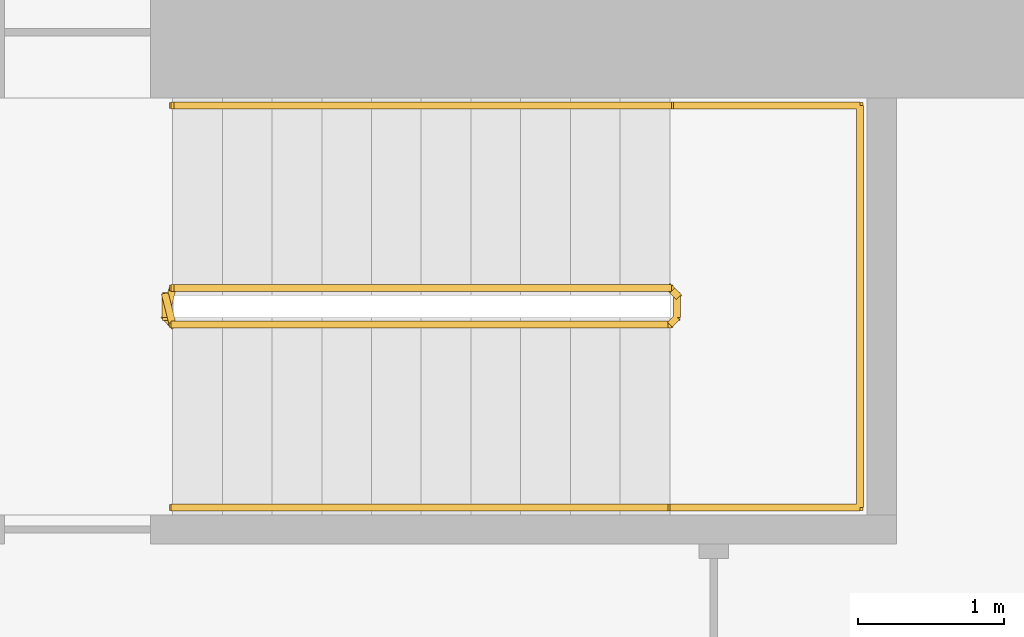
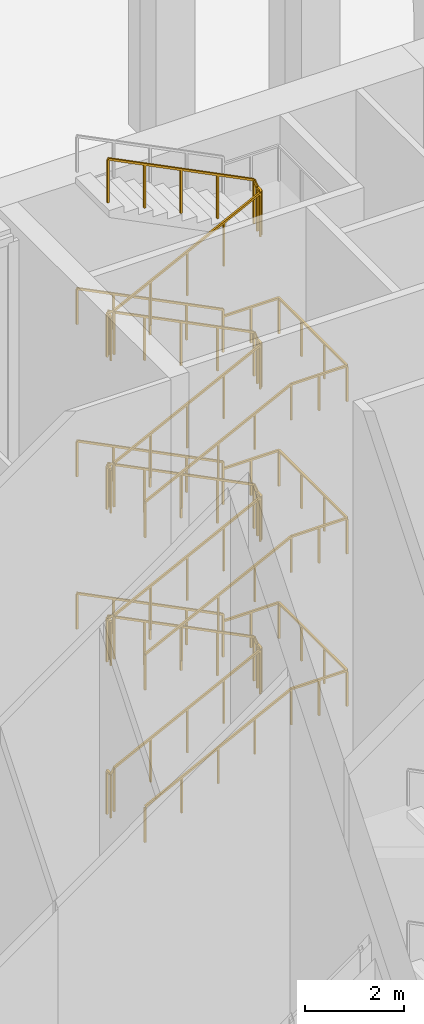
# One storey, part 16 of 18: 4 railings.
"""IFC4 building model written with IfcOpenShell, lengths in metres."""

import ifcopenshell
import ifcopenshell.guid

model = None  # the IFC model being written
_history = None  # IfcOwnerHistory: only IFC2X3 demands one
_inside = {}  # id of a spatial element -> (the spatial element, [elements in it])
_under = {}  # id of a project, library or spatial element -> (it, [spatial elements below it])
_declared = {}  # id of a project -> (the project, [libraries it declares])
_typed = {}  # id of a type object -> (the type object, [elements of that type])
_made_of = {}  # id of a material, layer set ... -> (it, [elements and type objects made of it])


def new_model(schema):
    """Start an empty IFC model of exactly this schema.

    Asked for "IFC4X3", IfcOpenShell would pick the latest addendum, in which some entities
    have other attributes; the version numbers below select the first issue.
    IFC2X3 requires an IfcOwnerHistory on every rooted entity: one is made here for all.
    """
    global model, _history
    if schema == "IFC4X3":
        model = ifcopenshell.file(schema_version=(4, 3, 0, 0))
    else:
        model = ifcopenshell.file(schema=schema)
    _inside.clear()
    _under.clear()
    _declared.clear()
    _typed.clear()
    _made_of.clear()
    _history = None
    if model.schema == "IFC2X3":
        org = make("IfcOrganization", Name="unknown")
        user = make(
            "IfcPersonAndOrganization",
            ThePerson=make("IfcPerson", FamilyName="unknown"),
            TheOrganization=org,
        )
        app = make(
            "IfcApplication",
            ApplicationDeveloper=org,
            Version="unknown",
            ApplicationFullName="unknown",
            ApplicationIdentifier="unknown",
        )
        _history = make(
            "IfcOwnerHistory",
            OwningUser=user,
            OwningApplication=app,
            ChangeAction="ADDED",
            CreationDate=0,
        )
    return model


def make(cls, **values):
    """One entity of the class cls with the attributes given. An attribute that is None is left unset."""
    return model.create_entity(
        cls, **{name: value for name, value in values.items() if value is not None}
    )


def rooted(cls, **values):
    """An entity with a GlobalId (a new one), such as an element, a storey or a relation."""
    return make(cls, GlobalId=ifcopenshell.guid.new(), OwnerHistory=_history, **values)


def si_unit(unit_type, name, prefix=None):
    """IfcSIUnit, for example si_unit("LENGTHUNIT", "METRE", prefix="MILLI")."""
    return make("IfcSIUnit", UnitType=unit_type, Prefix=prefix, Name=name)


def assignment(units):
    """IfcUnitAssignment: the units of a project."""
    return None if units is None else make("IfcUnitAssignment", Units=units)


def point(xyz):
    """IfcCartesianPoint."""
    return None if xyz is None else make("IfcCartesianPoint", Coordinates=xyz)


def direction(xyz):
    """IfcDirection."""
    return None if xyz is None else make("IfcDirection", DirectionRatios=xyz)


def frame(location, z_axis=None, x_axis=None):
    """IfcAxis2Placement3D, a coordinate frame: its origin and axes. An axis left out is left unset."""
    return make(
        "IfcAxis2Placement3D",
        Location=point(location),
        Axis=direction(z_axis),
        RefDirection=direction(x_axis),
    )


def frame_2d(location, x_axis=None):
    """IfcAxis2Placement2D, a coordinate frame in the plane: its origin and x axis."""
    return make(
        "IfcAxis2Placement2D", Location=point(location), RefDirection=direction(x_axis)
    )


def origin():
    """The frame at (0, 0, 0) with its axes left unset."""
    return frame((0.0, 0.0, 0.0))


def origin_2d():
    """The frame at (0, 0) in the plane with its x axis left unset."""
    return frame_2d((0.0, 0.0))


def place(relative_to, where):
    """IfcLocalPlacement: puts the frame where relative to a parent placement (None: the world)."""
    return make(
        "IfcLocalPlacement", PlacementRelTo=relative_to, RelativePlacement=where
    )


def context(
    kind, dimensions, precision=None, world=None, true_north=None, identifier=None
):
    """IfcGeometricRepresentationContext, for example the 3D "Model" context."""
    return make(
        "IfcGeometricRepresentationContext",
        ContextIdentifier=identifier,
        ContextType=kind,
        CoordinateSpaceDimension=dimensions,
        Precision=precision,
        WorldCoordinateSystem=world,
        TrueNorth=true_north,
    )


def subcontext(parent, identifier, kind, view, scale=None):
    """IfcGeometricRepresentationSubContext, for example "Body" below "Model"."""
    return make(
        "IfcGeometricRepresentationSubContext",
        ContextIdentifier=identifier,
        ContextType=kind,
        ParentContext=parent,
        TargetScale=scale,
        TargetView=view,
    )


def project(units=None, contexts=None):
    """IfcProject with its units and contexts."""
    return rooted(
        "IfcProject",
        Name="project",
        RepresentationContexts=contexts,
        UnitsInContext=assignment(units),
    )


def spatial(cls, under=None, at=None, **own):
    """A site, building, storey or space (cls), placed at a placement, below another one or the project."""
    s = rooted(cls, ObjectPlacement=at, **own)
    if under is not None:
        _under.setdefault(under.id(), (under, []))[1].append(s)
    return s


def profile(cls, at=None, kind="AREA", **sizes):
    """A parametric profile (cls). Its sizes go by their IFC names, for example OverallWidth=200.0."""
    return make(cls, ProfileType=kind, Position=at, **sizes)


def rectangle(**sizes):
    """IfcRectangleProfileDef."""
    return profile("IfcRectangleProfileDef", **sizes)


def extrude(swept, where, along, depth):
    """IfcExtrudedAreaSolid: the profile swept, set in the frame where, extruded along a direction by depth."""
    return make(
        "IfcExtrudedAreaSolid",
        SweptArea=swept,
        Position=where,
        ExtrudedDirection=direction(along),
        Depth=depth,
    )


def shape(context_of_items, identifier, shape_type, items):
    """IfcShapeRepresentation: the items that make up one representation, for example the "Body"."""
    return make(
        "IfcShapeRepresentation",
        ContextOfItems=context_of_items,
        RepresentationIdentifier=identifier,
        RepresentationType=shape_type,
        Items=items,
    )


def material(Name=None, Category=None):
    """IfcMaterial."""
    return make("IfcMaterial", Name=Name, Category=Category)


def made_of(thing, what):
    """Note that an element or type object is made of a material, layer set ...; save() writes the relation."""
    if what is not None:
        _made_of.setdefault(what.id(), (what, []))[1].append(thing)
    return thing


def type_object(cls, material=None, **own):
    """A type object (cls), such as IfcWallType, which elements share."""
    return made_of(rooted(cls, **own), material)


def element(
    cls,
    number,
    at=None,
    inside=None,
    cuts=None,
    type_object=None,
    material=None,
    context=None,
    identifier="Body",
    shape_type=None,
    held_by="IfcProductDefinitionShape",
    body=None,
    shapes=None,
    **own,
):
    """One element of the class cls, such as IfcWall. Its Tag is "e" and its number.

    at: its placement. inside: the storey or other place that contains it. cuts: it is an
    opening in that element (IfcRelVoidsElement). A single representation is given by context,
    identifier, shape_type and body (its items); several are given by shapes. held_by: the class
    of the entity that holds the representations. save() writes the other relations.
    """
    e = rooted(cls, Tag="e%d" % number, ObjectPlacement=at, **own)
    if body is not None:
        shapes = [shape(context, identifier, shape_type, body)]
    if shapes is not None:
        e.Representation = make(held_by, Representations=shapes)
    if inside is not None:
        _inside.setdefault(inside.id(), (inside, []))[1].append(e)
    if cuts is not None:
        rooted(
            "IfcRelVoidsElement", RelatingBuildingElement=cuts, RelatedOpeningElement=e
        )
    if type_object is not None:
        _typed.setdefault(type_object.id(), (type_object, []))[1].append(e)
    return made_of(e, material)


def aggregate(whole, parts):
    """IfcRelAggregates: a whole, such as a stair, and the parts it consists of."""
    return rooted("IfcRelAggregates", RelatingObject=whole, RelatedObjects=parts)


def save(model, path):
    """Write the relations noted so far, then the file.

    IfcRelAggregates (storeys below a building ...), IfcRelContainedInSpatialStructure (elements
    in a storey), IfcRelDefinesByType, IfcRelAssociatesMaterial and IfcRelDeclares: one each for
    every whole, place, type object, material and project.
    """
    for whole, parts in _under.values():
        aggregate(whole, parts)
    for where, things in _inside.values():
        rooted(
            "IfcRelContainedInSpatialStructure",
            RelatedElements=things,
            RelatingStructure=where,
        )
    for kind, things in _typed.values():
        rooted("IfcRelDefinesByType", RelatedObjects=things, RelatingType=kind)
    for what, things in _made_of.values():
        rooted("IfcRelAssociatesMaterial", RelatedObjects=things, RelatingMaterial=what)
    for by, libraries in _declared.values():
        rooted("IfcRelDeclares", RelatingContext=by, RelatedDefinitions=libraries)
    model.write(path)


model = new_model("IFC4")

# Units and contexts
model_context = context("Model", 3, precision=1e-05, world=origin(), true_north=direction((0.0, 1.0)))
body_context = subcontext(model_context, "Body", "Model", "MODEL_VIEW")
ifc_project = project(units=[si_unit("LENGTHUNIT", "METRE"), si_unit("AREAUNIT", "SQUARE_METRE"), si_unit("VOLUMEUNIT", "CUBIC_METRE"), si_unit("PLANEANGLEUNIT", "RADIAN"), si_unit("MASSUNIT", "GRAM", prefix="KILO")], contexts=[model_context])

# Site, building, storey
site_placement = place(None, origin())
site = spatial("IfcSite", under=ifc_project, at=site_placement, CompositionType="ELEMENT")
building_placement = place(site_placement, origin())
building = spatial("IfcBuilding", under=site, at=building_placement, Name="Perihelion Cross Residences", CompositionType="ELEMENT")
storey_placement = place(building_placement, origin())
storey = spatial("IfcBuildingStorey", under=building, at=storey_placement, Name="L00", CompositionType="ELEMENT", Elevation=0.0)

# Railings
ifc_material_1 = material(Name="Stainless steel", Category="steel")
railing_type_1 = type_object("IfcRailingType", Name="Stair guard 1100", PredefinedType="GUARDRAIL", material=ifc_material_1)
railing_1_placement = place(storey_placement, frame((23.35009765625, 6.75, 0.0)))
element("IfcRailing", 1, at=railing_1_placement, inside=storey, type_object=railing_type_1, Name="L00 ST-E1 stair guard 1", PredefinedType="GUARDRAIL", context=body_context, shape_type="SweptSolid", body=[
    extrude(rectangle(XDim=0.048095703125, YDim=0.048095703125, at=origin_2d()), frame((0.0, 0.0, 1.076171875), z_axis=(0.0, -1.0, 0.0), x_axis=(1.0, 0.0, 0.0)), (0.0, 0.0, 1.0), 0.14990234375),
    extrude(rectangle(XDim=0.048095703125, YDim=0.048095703125, at=origin_2d()), frame((0.0, -0.14990234375, 1.076171875), z_axis=(0.270004540015, -0.271328091682, 0.923839063385), x_axis=(0.708833529934, 0.705375805398, 0.0)), (0.0, 0.0, 1.0), 0.1845703125),
    extrude(rectangle(XDim=0.048095703125, YDim=0.048095703125, at=origin_2d()), frame((0.0498046875, -0.199951171875, 1.24658203125), z_axis=(0.893951692422, 0.0, 0.448163331406), x_axis=(0.0, 1.0, 0.0)), (0.0, 0.0, 1.0), 3.803466796875),
    extrude(rectangle(XDim=0.048095703125, YDim=0.048095703125, at=origin_2d()), frame((3.449951171875, -0.199951171875, 2.951171875), z_axis=(0.707106781187, 0.707106781187, 0.0), x_axis=(-0.707106781187, 0.707106781187, 0.0)), (0.0, 0.0, 1.0), 0.07080078125),
    extrude(rectangle(XDim=0.048095703125, YDim=0.048095703125, at=origin_2d()), frame((3.5, -0.14990234375, 2.951171875), z_axis=(0.0, 1.0, 0.0), x_axis=(-1.0, 0.0, 0.0)), (0.0, 0.0, 1.0), 0.14990234375),
    extrude(rectangle(XDim=0.048095703125, YDim=0.048095703125, at=origin_2d()), frame((3.5, 0.0, 2.951171875), z_axis=(-0.271230943075, 0.271230943075, 0.923508284228), x_axis=(-0.707106781187, -0.707106781187, 0.0)), (0.0, 0.0, 1.0), 0.1845703125),
    extrude(rectangle(XDim=0.048095703125, YDim=0.048095703125, at=origin_2d()), frame((3.449951171875, 0.050048828125, 3.12158203125), z_axis=(-0.893951692422, 0.0, 0.448163331406), x_axis=(0.0, -1.0, 0.0)), (0.0, 0.0, 1.0), 3.803466796875),
    extrude(rectangle(XDim=0.048095703125, YDim=0.048095703125, at=origin_2d()), frame((0.0498046875, 0.050048828125, 4.826171875), z_axis=(-0.241699205484, -0.970351222016, 0.0), x_axis=(0.970351222016, -0.241699205484, 0.0)), (0.0, 0.0, 1.0), 0.2060546875),
    extrude(rectangle(XDim=0.048095703125, YDim=0.048095703125, at=origin_2d()), frame((0.0, -0.14990234375, 4.826171875), z_axis=(0.0, 1.0, 0.0), x_axis=(-1.0, 0.0, 0.0)), (0.0, 0.0, 1.0), 0.14990234375),
    extrude(rectangle(XDim=0.048095703125, YDim=0.048095703125, at=origin_2d()), frame((0.0, 0.0, 4.826171875), z_axis=(0.186258189966, -0.747771850895, 0.637295179395), x_axis=(0.970351222016, 0.241699205484, 0.0)), (0.0, 0.0, 1.0), 0.267333984375),
    extrude(rectangle(XDim=0.048095703125, YDim=0.048095703125, at=origin_2d()), frame((0.0498046875, -0.199951171875, 4.99658203125), z_axis=(0.893951692422, 0.0, 0.448163331406), x_axis=(0.0, 1.0, 0.0)), (0.0, 0.0, 1.0), 3.803466796875),
    extrude(rectangle(XDim=0.048095703125, YDim=0.048095703125, at=origin_2d()), frame((3.449951171875, -0.199951171875, 6.701171875), z_axis=(0.707106781187, 0.707106781187, 0.0), x_axis=(-0.707106781187, 0.707106781187, 0.0)), (0.0, 0.0, 1.0), 0.07080078125),
    extrude(rectangle(XDim=0.048095703125, YDim=0.048095703125, at=origin_2d()), frame((3.5, -0.14990234375, 6.701171875), z_axis=(0.0, 1.0, 0.0), x_axis=(-1.0, 0.0, 0.0)), (0.0, 0.0, 1.0), 0.14990234375),
    extrude(rectangle(XDim=0.048095703125, YDim=0.048095703125, at=origin_2d()), frame((3.5, 0.0, 6.701171875), z_axis=(-0.271230943075, 0.271230943075, 0.923508284228), x_axis=(-0.707106781187, -0.707106781187, 0.0)), (0.0, 0.0, 1.0), 0.1845703125),
    extrude(rectangle(XDim=0.048095703125, YDim=0.048095703125, at=origin_2d()), frame((3.449951171875, 0.050048828125, 6.87158203125), z_axis=(-0.893951692422, 0.0, 0.448163331406), x_axis=(0.0, -1.0, 0.0)), (0.0, 0.0, 1.0), 3.803466796875),
    extrude(rectangle(XDim=0.048095703125, YDim=0.048095703125, at=origin_2d()), frame((0.0498046875, 0.050048828125, 8.576171875), z_axis=(-0.241699205484, -0.970351222016, 0.0), x_axis=(0.970351222016, -0.241699205484, 0.0)), (0.0, 0.0, 1.0), 0.2060546875),
    extrude(rectangle(XDim=0.048095703125, YDim=0.048095703125, at=origin_2d()), frame((0.0, -0.14990234375, 8.576171875), z_axis=(0.0, 1.0, 0.0), x_axis=(-1.0, 0.0, 0.0)), (0.0, 0.0, 1.0), 0.14990234375),
    extrude(rectangle(XDim=0.048095703125, YDim=0.048095703125, at=origin_2d()), frame((0.0, 0.0, 8.576171875), z_axis=(0.186258189966, -0.747771850895, 0.637295179395), x_axis=(0.970351222016, 0.241699205484, 0.0)), (0.0, 0.0, 1.0), 0.267333984375),
    extrude(rectangle(XDim=0.048095703125, YDim=0.048095703125, at=origin_2d()), frame((0.0498046875, -0.199951171875, 8.74658203125), z_axis=(0.893951692422, 0.0, 0.448163331406), x_axis=(0.0, 1.0, 0.0)), (0.0, 0.0, 1.0), 3.803466796875),
    extrude(rectangle(XDim=0.048095703125, YDim=0.048095703125, at=origin_2d()), frame((3.449951171875, -0.199951171875, 10.451171875), z_axis=(0.707106781187, 0.707106781187, 0.0), x_axis=(-0.707106781187, 0.707106781187, 0.0)), (0.0, 0.0, 1.0), 0.07080078125),
    extrude(rectangle(XDim=0.048095703125, YDim=0.048095703125, at=origin_2d()), frame((3.5, -0.14990234375, 10.451171875), z_axis=(0.0, 1.0, 0.0), x_axis=(-1.0, 0.0, 0.0)), (0.0, 0.0, 1.0), 0.14990234375),
    extrude(rectangle(XDim=0.048095703125, YDim=0.048095703125, at=origin_2d()), frame((3.5, 0.0, 10.451171875), z_axis=(-0.271230943075, 0.271230943075, 0.923508284228), x_axis=(-0.707106781187, -0.707106781187, 0.0)), (0.0, 0.0, 1.0), 0.1845703125),
    extrude(rectangle(XDim=0.048095703125, YDim=0.048095703125, at=origin_2d()), frame((3.449951171875, 0.050048828125, 10.62158203125), z_axis=(-0.893951692422, 0.0, 0.448163331406), x_axis=(0.0, -1.0, 0.0)), (0.0, 0.0, 1.0), 3.803466796875),
    extrude(rectangle(XDim=0.048095703125, YDim=0.048095703125, at=origin_2d()), frame((0.0498046875, 0.050048828125, 12.326171875), z_axis=(-0.241699205484, -0.970351222016, 0.0), x_axis=(0.970351222016, -0.241699205484, 0.0)), (0.0, 0.0, 1.0), 0.2060546875),
    extrude(rectangle(XDim=0.048095703125, YDim=0.048095703125, at=origin_2d()), frame((0.0, -0.14990234375, 12.326171875), z_axis=(0.0, 1.0, 0.0), x_axis=(-1.0, 0.0, 0.0)), (0.0, 0.0, 1.0), 0.14990234375),
    extrude(rectangle(XDim=0.048095703125, YDim=0.048095703125, at=origin_2d()), frame((0.0, 0.0, 12.326171875), z_axis=(0.186258189966, -0.747771850895, 0.637295179395), x_axis=(0.970351222016, 0.241699205484, 0.0)), (0.0, 0.0, 1.0), 0.267333984375),
    extrude(rectangle(XDim=0.048095703125, YDim=0.048095703125, at=origin_2d()), frame((0.0498046875, -0.199951171875, 12.49658203125), z_axis=(0.893951692422, 0.0, 0.448163331406), x_axis=(0.0, 1.0, 0.0)), (0.0, 0.0, 1.0), 3.803466796875),
    extrude(rectangle(XDim=0.048095703125, YDim=0.048095703125, at=origin_2d()), frame((3.449951171875, -0.199951171875, 14.201171875), z_axis=(0.707106781187, 0.707106781187, 0.0), x_axis=(-0.707106781187, 0.707106781187, 0.0)), (0.0, 0.0, 1.0), 0.07080078125),
    extrude(rectangle(XDim=0.048095703125, YDim=0.048095703125, at=origin_2d()), frame((3.5, -0.14990234375, 14.201171875), z_axis=(0.0, 1.0, 0.0), x_axis=(-1.0, 0.0, 0.0)), (0.0, 0.0, 1.0), 0.14990234375),
    extrude(rectangle(XDim=0.048095703125, YDim=0.048095703125, at=origin_2d()), frame((3.5, 0.0, 14.201171875), z_axis=(-0.271230943075, 0.271230943075, 0.923508284228), x_axis=(-0.707106781187, -0.707106781187, 0.0)), (0.0, 0.0, 1.0), 0.1845703125),
    extrude(rectangle(XDim=0.048095703125, YDim=0.048095703125, at=origin_2d()), frame((3.449951171875, 0.050048828125, 14.37158203125), z_axis=(-0.893951692422, 0.0, 0.448163331406), x_axis=(0.0, -1.0, 0.0)), (0.0, 0.0, 1.0), 3.803466796875),
    extrude(rectangle(XDim=0.0419921875, YDim=0.0419921875, at=origin_2d()), origin(), (0.0, 0.0, 1.0), 1.052001953125),
    extrude(rectangle(XDim=0.0419921875, YDim=0.0419921875, at=origin_2d()), frame((0.0, -0.14990234375, 0.0)), (0.0, 0.0, 1.0), 1.052001953125),
    extrude(rectangle(XDim=0.0419921875, YDim=0.0419921875, at=origin_2d()), frame((0.0498046875, -0.199951171875, 0.17041015625)), (0.0, 0.0, 1.0), 1.052001953125),
    extrude(rectangle(XDim=0.0419921875, YDim=0.0419921875, at=origin_2d()), frame((0.89990234375, -0.199951171875, 0.5966796875)), (0.0, 0.0, 1.0), 1.052001953125),
    extrude(rectangle(XDim=0.0419921875, YDim=0.0419921875, at=origin_2d()), frame((1.75, -0.199951171875, 1.022705078125)), (0.0, 0.0, 1.0), 1.052001953125),
    extrude(rectangle(XDim=0.0419921875, YDim=0.0419921875, at=origin_2d()), frame((2.599853515625, -0.199951171875, 1.44873046875)), (0.0, 0.0, 1.0), 1.052001953125),
    extrude(rectangle(XDim=0.0419921875, YDim=0.0419921875, at=origin_2d()), frame((3.449951171875, -0.199951171875, 1.875)), (0.0, 0.0, 1.0), 1.052001953125),
    extrude(rectangle(XDim=0.0419921875, YDim=0.0419921875, at=origin_2d()), frame((3.5, -0.14990234375, 1.875)), (0.0, 0.0, 1.0), 1.052001953125),
    extrude(rectangle(XDim=0.0419921875, YDim=0.0419921875, at=origin_2d()), frame((3.5, 0.0, 1.875)), (0.0, 0.0, 1.0), 1.052001953125),
    extrude(rectangle(XDim=0.0419921875, YDim=0.0419921875, at=origin_2d()), frame((3.449951171875, 0.050048828125, 2.04541015625)), (0.0, 0.0, 1.0), 1.052001953125),
    extrude(rectangle(XDim=0.0419921875, YDim=0.0419921875, at=origin_2d()), frame((2.599853515625, 0.050048828125, 2.4716796875)), (0.0, 0.0, 1.0), 1.052001953125),
    extrude(rectangle(XDim=0.0419921875, YDim=0.0419921875, at=origin_2d()), frame((1.75, 0.050048828125, 2.897705078125)), (0.0, 0.0, 1.0), 1.052001953125),
    extrude(rectangle(XDim=0.0419921875, YDim=0.0419921875, at=origin_2d()), frame((0.89990234375, 0.050048828125, 3.32373046875)), (0.0, 0.0, 1.0), 1.052001953125),
    extrude(rectangle(XDim=0.0419921875, YDim=0.0419921875, at=origin_2d()), frame((0.0498046875, 0.050048828125, 3.75)), (0.0, 0.0, 1.0), 1.052001953125),
    extrude(rectangle(XDim=0.0419921875, YDim=0.0419921875, at=origin_2d()), frame((0.0, -0.14990234375, 3.75)), (0.0, 0.0, 1.0), 1.052001953125),
    extrude(rectangle(XDim=0.0419921875, YDim=0.0419921875, at=origin_2d()), frame((0.0, 0.0, 3.75)), (0.0, 0.0, 1.0), 1.052001953125),
    extrude(rectangle(XDim=0.0419921875, YDim=0.0419921875, at=origin_2d()), frame((0.0498046875, -0.199951171875, 3.92041015625)), (0.0, 0.0, 1.0), 1.052001953125),
    extrude(rectangle(XDim=0.0419921875, YDim=0.0419921875, at=origin_2d()), frame((0.89990234375, -0.199951171875, 4.3466796875)), (0.0, 0.0, 1.0), 1.052001953125),
    extrude(rectangle(XDim=0.0419921875, YDim=0.0419921875, at=origin_2d()), frame((1.75, -0.199951171875, 4.772705078125)), (0.0, 0.0, 1.0), 1.052001953125),
    extrude(rectangle(XDim=0.0419921875, YDim=0.0419921875, at=origin_2d()), frame((2.599853515625, -0.199951171875, 5.19873046875)), (0.0, 0.0, 1.0), 1.052001953125),
    extrude(rectangle(XDim=0.0419921875, YDim=0.0419921875, at=origin_2d()), frame((3.449951171875, -0.199951171875, 5.625)), (0.0, 0.0, 1.0), 1.052001953125),
    extrude(rectangle(XDim=0.0419921875, YDim=0.0419921875, at=origin_2d()), frame((3.5, -0.14990234375, 5.625)), (0.0, 0.0, 1.0), 1.052001953125),
    extrude(rectangle(XDim=0.0419921875, YDim=0.0419921875, at=origin_2d()), frame((3.5, 0.0, 5.625)), (0.0, 0.0, 1.0), 1.052001953125),
    extrude(rectangle(XDim=0.0419921875, YDim=0.0419921875, at=origin_2d()), frame((3.449951171875, 0.050048828125, 5.79541015625)), (0.0, 0.0, 1.0), 1.052001953125),
    extrude(rectangle(XDim=0.0419921875, YDim=0.0419921875, at=origin_2d()), frame((2.599853515625, 0.050048828125, 6.2216796875)), (0.0, 0.0, 1.0), 1.052001953125),
    extrude(rectangle(XDim=0.0419921875, YDim=0.0419921875, at=origin_2d()), frame((1.75, 0.050048828125, 6.647705078125)), (0.0, 0.0, 1.0), 1.052001953125),
    extrude(rectangle(XDim=0.0419921875, YDim=0.0419921875, at=origin_2d()), frame((0.89990234375, 0.050048828125, 7.07373046875)), (0.0, 0.0, 1.0), 1.052001953125),
    extrude(rectangle(XDim=0.0419921875, YDim=0.0419921875, at=origin_2d()), frame((0.0498046875, 0.050048828125, 7.5)), (0.0, 0.0, 1.0), 1.052001953125),
    extrude(rectangle(XDim=0.0419921875, YDim=0.0419921875, at=origin_2d()), frame((0.0, -0.14990234375, 7.5)), (0.0, 0.0, 1.0), 1.052001953125),
    extrude(rectangle(XDim=0.0419921875, YDim=0.0419921875, at=origin_2d()), frame((0.0, 0.0, 7.5)), (0.0, 0.0, 1.0), 1.052001953125),
    extrude(rectangle(XDim=0.0419921875, YDim=0.0419921875, at=origin_2d()), frame((0.0498046875, -0.199951171875, 7.67041015625)), (0.0, 0.0, 1.0), 1.052001953125),
    extrude(rectangle(XDim=0.0419921875, YDim=0.0419921875, at=origin_2d()), frame((0.89990234375, -0.199951171875, 8.0966796875)), (0.0, 0.0, 1.0), 1.052001953125),
    extrude(rectangle(XDim=0.0419921875, YDim=0.0419921875, at=origin_2d()), frame((1.75, -0.199951171875, 8.522705078125)), (0.0, 0.0, 1.0), 1.052001953125),
    extrude(rectangle(XDim=0.0419921875, YDim=0.0419921875, at=origin_2d()), frame((2.599853515625, -0.199951171875, 8.94873046875)), (0.0, 0.0, 1.0), 1.052001953125),
    extrude(rectangle(XDim=0.0419921875, YDim=0.0419921875, at=origin_2d()), frame((3.449951171875, -0.199951171875, 9.375)), (0.0, 0.0, 1.0), 1.052001953125),
    extrude(rectangle(XDim=0.0419921875, YDim=0.0419921875, at=origin_2d()), frame((3.5, -0.14990234375, 9.375)), (0.0, 0.0, 1.0), 1.052001953125),
    extrude(rectangle(XDim=0.0419921875, YDim=0.0419921875, at=origin_2d()), frame((3.5, 0.0, 9.375)), (0.0, 0.0, 1.0), 1.052001953125),
    extrude(rectangle(XDim=0.0419921875, YDim=0.0419921875, at=origin_2d()), frame((3.449951171875, 0.050048828125, 9.54541015625)), (0.0, 0.0, 1.0), 1.052001953125),
    extrude(rectangle(XDim=0.0419921875, YDim=0.0419921875, at=origin_2d()), frame((2.599853515625, 0.050048828125, 9.9716796875)), (0.0, 0.0, 1.0), 1.052001953125),
    extrude(rectangle(XDim=0.0419921875, YDim=0.0419921875, at=origin_2d()), frame((1.75, 0.050048828125, 10.397705078125)), (0.0, 0.0, 1.0), 1.052001953125),
    extrude(rectangle(XDim=0.0419921875, YDim=0.0419921875, at=origin_2d()), frame((0.89990234375, 0.050048828125, 10.82373046875)), (0.0, 0.0, 1.0), 1.052001953125),
    extrude(rectangle(XDim=0.0419921875, YDim=0.0419921875, at=origin_2d()), frame((0.0498046875, 0.050048828125, 11.25)), (0.0, 0.0, 1.0), 1.052001953125),
    extrude(rectangle(XDim=0.0419921875, YDim=0.0419921875, at=origin_2d()), frame((0.0, -0.14990234375, 11.25)), (0.0, 0.0, 1.0), 1.052001953125),
    extrude(rectangle(XDim=0.0419921875, YDim=0.0419921875, at=origin_2d()), frame((0.0, 0.0, 11.25)), (0.0, 0.0, 1.0), 1.052001953125),
    extrude(rectangle(XDim=0.0419921875, YDim=0.0419921875, at=origin_2d()), frame((0.0498046875, -0.199951171875, 11.42041015625)), (0.0, 0.0, 1.0), 1.052001953125),
    extrude(rectangle(XDim=0.0419921875, YDim=0.0419921875, at=origin_2d()), frame((0.89990234375, -0.199951171875, 11.8466796875)), (0.0, 0.0, 1.0), 1.052001953125),
    extrude(rectangle(XDim=0.0419921875, YDim=0.0419921875, at=origin_2d()), frame((1.75, -0.199951171875, 12.272705078125)), (0.0, 0.0, 1.0), 1.052001953125),
    extrude(rectangle(XDim=0.0419921875, YDim=0.0419921875, at=origin_2d()), frame((2.599853515625, -0.199951171875, 12.69873046875)), (0.0, 0.0, 1.0), 1.052001953125),
    extrude(rectangle(XDim=0.0419921875, YDim=0.0419921875, at=origin_2d()), frame((3.449951171875, -0.199951171875, 13.125)), (0.0, 0.0, 1.0), 1.052001953125),
    extrude(rectangle(XDim=0.0419921875, YDim=0.0419921875, at=origin_2d()), frame((3.5, -0.14990234375, 13.125)), (0.0, 0.0, 1.0), 1.052001953125),
    extrude(rectangle(XDim=0.0419921875, YDim=0.0419921875, at=origin_2d()), frame((3.5, 0.0, 13.125)), (0.0, 0.0, 1.0), 1.052001953125),
    extrude(rectangle(XDim=0.0419921875, YDim=0.0419921875, at=origin_2d()), frame((3.449951171875, 0.050048828125, 13.29541015625)), (0.0, 0.0, 1.0), 1.052001953125),
    extrude(rectangle(XDim=0.0419921875, YDim=0.0419921875, at=origin_2d()), frame((2.599853515625, 0.050048828125, 13.7216796875)), (0.0, 0.0, 1.0), 1.052001953125),
    extrude(rectangle(XDim=0.0419921875, YDim=0.0419921875, at=origin_2d()), frame((1.75, 0.050048828125, 14.147705078125)), (0.0, 0.0, 1.0), 1.052001953125),
    extrude(rectangle(XDim=0.0419921875, YDim=0.0419921875, at=origin_2d()), frame((0.89990234375, 0.050048828125, 14.57373046875)), (0.0, 0.0, 1.0), 1.052001953125),
    extrude(rectangle(XDim=0.0419921875, YDim=0.0419921875, at=origin_2d()), frame((0.0498046875, 0.050048828125, 15.0)), (0.0, 0.0, 1.0), 1.052001953125),
])
ifc_material_2 = material(Name="Stainless steel", Category="steel")
railing_type_2 = type_object("IfcRailingType", Name="Stair handrail 900", PredefinedType="HANDRAIL", material=ifc_material_2)
railing_2_placement = place(storey_placement, frame((23.39990234375, 5.300048828125, 0.17041015625)))
element("IfcRailing", 2, at=railing_2_placement, inside=storey, type_object=railing_type_2, Name="L00 ST-E1 stair handrail 1", PredefinedType="HANDRAIL", context=body_context, shape_type="SweptSolid", body=[
    extrude(rectangle(XDim=0.048095703125, YDim=0.048095703125, at=origin_2d()), frame((0.0, 0.0, 0.8759765625), z_axis=(0.893951692422, 0.0, 0.448163331406), x_axis=(0.0, 1.0, 0.0)), (0.0, 0.0, 1.0), 3.803466796875),
    extrude(rectangle(XDim=0.048095703125, YDim=0.048095703125, at=origin_2d()), frame((3.400146484375, 0.0, 2.58056640625), z_axis=(1.0, 0.0, 0.0), x_axis=(0.0, 1.0, 0.0)), (0.0, 0.0, 1.0), 1.300048828125),
    extrude(rectangle(XDim=0.048095703125, YDim=0.048095703125, at=origin_2d()), frame((4.7001953125, 0.0, 2.58056640625), z_axis=(0.0, 1.0, 0.0), x_axis=(-1.0, 0.0, 0.0)), (0.0, 0.0, 1.0), 2.75),
    extrude(rectangle(XDim=0.048095703125, YDim=0.048095703125, at=origin_2d()), frame((4.7001953125, 2.75, 2.58056640625), z_axis=(-1.0, 0.0, 0.0), x_axis=(0.0, -1.0, 0.0)), (0.0, 0.0, 1.0), 1.300048828125),
    extrude(rectangle(XDim=0.048095703125, YDim=0.048095703125, at=origin_2d()), frame((3.400146484375, 2.75, 2.58056640625), z_axis=(0.0, 0.0, 1.0), x_axis=(1.0, 0.0, 0.0)), (0.0, 0.0, 1.0), 0.17041015625),
    extrude(rectangle(XDim=0.048095703125, YDim=0.048095703125, at=origin_2d()), frame((3.400146484375, 2.75, 2.7509765625), z_axis=(-0.893951692422, 0.0, 0.448163331406), x_axis=(0.0, -1.0, 0.0)), (0.0, 0.0, 1.0), 3.803466796875),
    extrude(rectangle(XDim=0.0419921875, YDim=0.0419921875, at=origin_2d()), origin(), (0.0, 0.0, 1.0), 0.851806640625),
    extrude(rectangle(XDim=0.0419921875, YDim=0.0419921875, at=origin_2d()), frame((0.85009765625, 0.0, 0.42626953125)), (0.0, 0.0, 1.0), 0.851806640625),
    extrude(rectangle(XDim=0.0419921875, YDim=0.0419921875, at=origin_2d()), frame((1.7001953125, 0.0, 0.852294921875)), (0.0, 0.0, 1.0), 0.851806640625),
    extrude(rectangle(XDim=0.0419921875, YDim=0.0419921875, at=origin_2d()), frame((2.550048828125, 0.0, 1.2783203125)), (0.0, 0.0, 1.0), 0.851806640625),
    extrude(rectangle(XDim=0.0419921875, YDim=0.0419921875, at=origin_2d()), frame((3.400146484375, 0.0, 1.70458984375)), (0.0, 0.0, 1.0), 0.851806640625),
    extrude(rectangle(XDim=0.0419921875, YDim=0.0419921875, at=origin_2d()), frame((4.05029296875, 0.0, 1.70458984375)), (0.0, 0.0, 1.0), 0.851806640625),
    extrude(rectangle(XDim=0.0419921875, YDim=0.0419921875, at=origin_2d()), frame((4.7001953125, 0.0, 1.70458984375)), (0.0, 0.0, 1.0), 0.851806640625),
    extrude(rectangle(XDim=0.0419921875, YDim=0.0419921875, at=origin_2d()), frame((4.7001953125, 0.916748046875, 1.70458984375)), (0.0, 0.0, 1.0), 0.851806640625),
    extrude(rectangle(XDim=0.0419921875, YDim=0.0419921875, at=origin_2d()), frame((4.7001953125, 1.833251953125, 1.70458984375)), (0.0, 0.0, 1.0), 0.851806640625),
    extrude(rectangle(XDim=0.0419921875, YDim=0.0419921875, at=origin_2d()), frame((4.7001953125, 2.75, 1.70458984375)), (0.0, 0.0, 1.0), 0.851806640625),
    extrude(rectangle(XDim=0.0419921875, YDim=0.0419921875, at=origin_2d()), frame((4.05029296875, 2.75, 1.70458984375)), (0.0, 0.0, 1.0), 0.851806640625),
    extrude(rectangle(XDim=0.0419921875, YDim=0.0419921875, at=origin_2d()), frame((3.400146484375, 2.75, 1.70458984375)), (0.0, 0.0, 1.0), 0.851806640625),
    extrude(rectangle(XDim=0.0419921875, YDim=0.0419921875, at=origin_2d()), frame((3.400146484375, 2.75, 1.875)), (0.0, 0.0, 1.0), 0.851806640625),
    extrude(rectangle(XDim=0.0419921875, YDim=0.0419921875, at=origin_2d()), frame((2.550048828125, 2.75, 2.30126953125)), (0.0, 0.0, 1.0), 0.851806640625),
    extrude(rectangle(XDim=0.0419921875, YDim=0.0419921875, at=origin_2d()), frame((1.7001953125, 2.75, 2.727294921875)), (0.0, 0.0, 1.0), 0.851806640625),
    extrude(rectangle(XDim=0.0419921875, YDim=0.0419921875, at=origin_2d()), frame((0.85009765625, 2.75, 3.1533203125)), (0.0, 0.0, 1.0), 0.851806640625),
    extrude(rectangle(XDim=0.0419921875, YDim=0.0419921875, at=origin_2d()), frame((0.0, 2.75, 3.57958984375)), (0.0, 0.0, 1.0), 0.851806640625),
])
railing_3_placement = place(storey_placement, frame((23.39990234375, 5.300048828125, 3.92041015625)))
element("IfcRailing", 3, at=railing_3_placement, inside=storey, type_object=railing_type_2, Name="L00 ST-E1 stair handrail 2", PredefinedType="HANDRAIL", context=body_context, shape_type="SweptSolid", body=[
    extrude(rectangle(XDim=0.048095703125, YDim=0.048095703125, at=origin_2d()), frame((0.0, 0.0, 0.8759765625), z_axis=(0.893951692422, 0.0, 0.448163331406), x_axis=(0.0, 1.0, 0.0)), (0.0, 0.0, 1.0), 3.803466796875),
    extrude(rectangle(XDim=0.048095703125, YDim=0.048095703125, at=origin_2d()), frame((3.400146484375, 0.0, 2.58056640625), z_axis=(1.0, 0.0, 0.0), x_axis=(0.0, 1.0, 0.0)), (0.0, 0.0, 1.0), 1.300048828125),
    extrude(rectangle(XDim=0.048095703125, YDim=0.048095703125, at=origin_2d()), frame((4.7001953125, 0.0, 2.58056640625), z_axis=(0.0, 1.0, 0.0), x_axis=(-1.0, 0.0, 0.0)), (0.0, 0.0, 1.0), 2.75),
    extrude(rectangle(XDim=0.048095703125, YDim=0.048095703125, at=origin_2d()), frame((4.7001953125, 2.75, 2.58056640625), z_axis=(-1.0, 0.0, 0.0), x_axis=(0.0, -1.0, 0.0)), (0.0, 0.0, 1.0), 1.300048828125),
    extrude(rectangle(XDim=0.048095703125, YDim=0.048095703125, at=origin_2d()), frame((3.400146484375, 2.75, 2.58056640625), z_axis=(0.0, 0.0, 1.0), x_axis=(1.0, 0.0, 0.0)), (0.0, 0.0, 1.0), 0.17041015625),
    extrude(rectangle(XDim=0.048095703125, YDim=0.048095703125, at=origin_2d()), frame((3.400146484375, 2.75, 2.7509765625), z_axis=(-0.893951692422, 0.0, 0.448163331406), x_axis=(0.0, -1.0, 0.0)), (0.0, 0.0, 1.0), 3.803466796875),
    extrude(rectangle(XDim=0.0419921875, YDim=0.0419921875, at=origin_2d()), origin(), (0.0, 0.0, 1.0), 0.851806640625),
    extrude(rectangle(XDim=0.0419921875, YDim=0.0419921875, at=origin_2d()), frame((0.85009765625, 0.0, 0.42626953125)), (0.0, 0.0, 1.0), 0.851806640625),
    extrude(rectangle(XDim=0.0419921875, YDim=0.0419921875, at=origin_2d()), frame((1.7001953125, 0.0, 0.852294921875)), (0.0, 0.0, 1.0), 0.851806640625),
    extrude(rectangle(XDim=0.0419921875, YDim=0.0419921875, at=origin_2d()), frame((2.550048828125, 0.0, 1.2783203125)), (0.0, 0.0, 1.0), 0.851806640625),
    extrude(rectangle(XDim=0.0419921875, YDim=0.0419921875, at=origin_2d()), frame((3.400146484375, 0.0, 1.70458984375)), (0.0, 0.0, 1.0), 0.851806640625),
    extrude(rectangle(XDim=0.0419921875, YDim=0.0419921875, at=origin_2d()), frame((4.05029296875, 0.0, 1.70458984375)), (0.0, 0.0, 1.0), 0.851806640625),
    extrude(rectangle(XDim=0.0419921875, YDim=0.0419921875, at=origin_2d()), frame((4.7001953125, 0.0, 1.70458984375)), (0.0, 0.0, 1.0), 0.851806640625),
    extrude(rectangle(XDim=0.0419921875, YDim=0.0419921875, at=origin_2d()), frame((4.7001953125, 0.916748046875, 1.70458984375)), (0.0, 0.0, 1.0), 0.851806640625),
    extrude(rectangle(XDim=0.0419921875, YDim=0.0419921875, at=origin_2d()), frame((4.7001953125, 1.833251953125, 1.70458984375)), (0.0, 0.0, 1.0), 0.851806640625),
    extrude(rectangle(XDim=0.0419921875, YDim=0.0419921875, at=origin_2d()), frame((4.7001953125, 2.75, 1.70458984375)), (0.0, 0.0, 1.0), 0.851806640625),
    extrude(rectangle(XDim=0.0419921875, YDim=0.0419921875, at=origin_2d()), frame((4.05029296875, 2.75, 1.70458984375)), (0.0, 0.0, 1.0), 0.851806640625),
    extrude(rectangle(XDim=0.0419921875, YDim=0.0419921875, at=origin_2d()), frame((3.400146484375, 2.75, 1.70458984375)), (0.0, 0.0, 1.0), 0.851806640625),
    extrude(rectangle(XDim=0.0419921875, YDim=0.0419921875, at=origin_2d()), frame((3.400146484375, 2.75, 1.875)), (0.0, 0.0, 1.0), 0.851806640625),
    extrude(rectangle(XDim=0.0419921875, YDim=0.0419921875, at=origin_2d()), frame((2.550048828125, 2.75, 2.30126953125)), (0.0, 0.0, 1.0), 0.851806640625),
    extrude(rectangle(XDim=0.0419921875, YDim=0.0419921875, at=origin_2d()), frame((1.7001953125, 2.75, 2.727294921875)), (0.0, 0.0, 1.0), 0.851806640625),
    extrude(rectangle(XDim=0.0419921875, YDim=0.0419921875, at=origin_2d()), frame((0.85009765625, 2.75, 3.1533203125)), (0.0, 0.0, 1.0), 0.851806640625),
    extrude(rectangle(XDim=0.0419921875, YDim=0.0419921875, at=origin_2d()), frame((0.0, 2.75, 3.57958984375)), (0.0, 0.0, 1.0), 0.851806640625),
])
railing_4_placement = place(storey_placement, frame((23.39990234375, 5.300048828125, 7.67041015625)))
element("IfcRailing", 4, at=railing_4_placement, inside=storey, type_object=railing_type_2, Name="L00 ST-E1 stair handrail 3", PredefinedType="HANDRAIL", context=body_context, shape_type="SweptSolid", body=[
    extrude(rectangle(XDim=0.048095703125, YDim=0.048095703125, at=origin_2d()), frame((0.0, 0.0, 0.8759765625), z_axis=(0.893951692422, 0.0, 0.448163331406), x_axis=(0.0, 1.0, 0.0)), (0.0, 0.0, 1.0), 3.803466796875),
    extrude(rectangle(XDim=0.048095703125, YDim=0.048095703125, at=origin_2d()), frame((3.400146484375, 0.0, 2.58056640625), z_axis=(1.0, 0.0, 0.0), x_axis=(0.0, 1.0, 0.0)), (0.0, 0.0, 1.0), 1.300048828125),
    extrude(rectangle(XDim=0.048095703125, YDim=0.048095703125, at=origin_2d()), frame((4.7001953125, 0.0, 2.58056640625), z_axis=(0.0, 1.0, 0.0), x_axis=(-1.0, 0.0, 0.0)), (0.0, 0.0, 1.0), 2.75),
    extrude(rectangle(XDim=0.048095703125, YDim=0.048095703125, at=origin_2d()), frame((4.7001953125, 2.75, 2.58056640625), z_axis=(-1.0, 0.0, 0.0), x_axis=(0.0, -1.0, 0.0)), (0.0, 0.0, 1.0), 1.300048828125),
    extrude(rectangle(XDim=0.048095703125, YDim=0.048095703125, at=origin_2d()), frame((3.400146484375, 2.75, 2.58056640625), z_axis=(0.0, 0.0, 1.0), x_axis=(1.0, 0.0, 0.0)), (0.0, 0.0, 1.0), 0.17041015625),
    extrude(rectangle(XDim=0.048095703125, YDim=0.048095703125, at=origin_2d()), frame((3.400146484375, 2.75, 2.7509765625), z_axis=(-0.893951692422, 0.0, 0.448163331406), x_axis=(0.0, -1.0, 0.0)), (0.0, 0.0, 1.0), 3.803466796875),
    extrude(rectangle(XDim=0.0419921875, YDim=0.0419921875, at=origin_2d()), origin(), (0.0, 0.0, 1.0), 0.851806640625),
    extrude(rectangle(XDim=0.0419921875, YDim=0.0419921875, at=origin_2d()), frame((0.85009765625, 0.0, 0.42626953125)), (0.0, 0.0, 1.0), 0.851806640625),
    extrude(rectangle(XDim=0.0419921875, YDim=0.0419921875, at=origin_2d()), frame((1.7001953125, 0.0, 0.852294921875)), (0.0, 0.0, 1.0), 0.851806640625),
    extrude(rectangle(XDim=0.0419921875, YDim=0.0419921875, at=origin_2d()), frame((2.550048828125, 0.0, 1.2783203125)), (0.0, 0.0, 1.0), 0.851806640625),
    extrude(rectangle(XDim=0.0419921875, YDim=0.0419921875, at=origin_2d()), frame((3.400146484375, 0.0, 1.70458984375)), (0.0, 0.0, 1.0), 0.851806640625),
    extrude(rectangle(XDim=0.0419921875, YDim=0.0419921875, at=origin_2d()), frame((4.05029296875, 0.0, 1.70458984375)), (0.0, 0.0, 1.0), 0.851806640625),
    extrude(rectangle(XDim=0.0419921875, YDim=0.0419921875, at=origin_2d()), frame((4.7001953125, 0.0, 1.70458984375)), (0.0, 0.0, 1.0), 0.851806640625),
    extrude(rectangle(XDim=0.0419921875, YDim=0.0419921875, at=origin_2d()), frame((4.7001953125, 0.916748046875, 1.70458984375)), (0.0, 0.0, 1.0), 0.851806640625),
    extrude(rectangle(XDim=0.0419921875, YDim=0.0419921875, at=origin_2d()), frame((4.7001953125, 1.833251953125, 1.70458984375)), (0.0, 0.0, 1.0), 0.851806640625),
    extrude(rectangle(XDim=0.0419921875, YDim=0.0419921875, at=origin_2d()), frame((4.7001953125, 2.75, 1.70458984375)), (0.0, 0.0, 1.0), 0.851806640625),
    extrude(rectangle(XDim=0.0419921875, YDim=0.0419921875, at=origin_2d()), frame((4.05029296875, 2.75, 1.70458984375)), (0.0, 0.0, 1.0), 0.851806640625),
    extrude(rectangle(XDim=0.0419921875, YDim=0.0419921875, at=origin_2d()), frame((3.400146484375, 2.75, 1.70458984375)), (0.0, 0.0, 1.0), 0.851806640625),
    extrude(rectangle(XDim=0.0419921875, YDim=0.0419921875, at=origin_2d()), frame((3.400146484375, 2.75, 1.875)), (0.0, 0.0, 1.0), 0.851806640625),
    extrude(rectangle(XDim=0.0419921875, YDim=0.0419921875, at=origin_2d()), frame((2.550048828125, 2.75, 2.30126953125)), (0.0, 0.0, 1.0), 0.851806640625),
    extrude(rectangle(XDim=0.0419921875, YDim=0.0419921875, at=origin_2d()), frame((1.7001953125, 2.75, 2.727294921875)), (0.0, 0.0, 1.0), 0.851806640625),
    extrude(rectangle(XDim=0.0419921875, YDim=0.0419921875, at=origin_2d()), frame((0.85009765625, 2.75, 3.1533203125)), (0.0, 0.0, 1.0), 0.851806640625),
    extrude(rectangle(XDim=0.0419921875, YDim=0.0419921875, at=origin_2d()), frame((0.0, 2.75, 3.57958984375)), (0.0, 0.0, 1.0), 0.851806640625),
])

save(model, "model.ifc")
